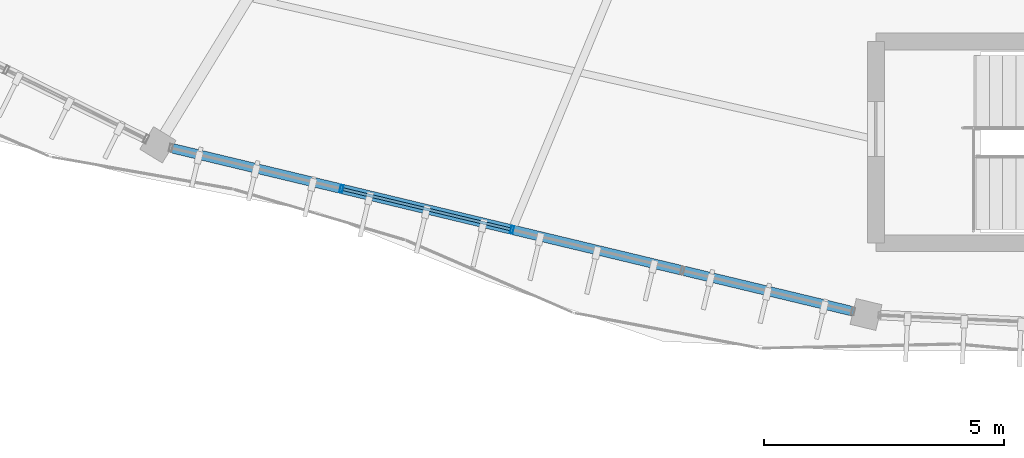
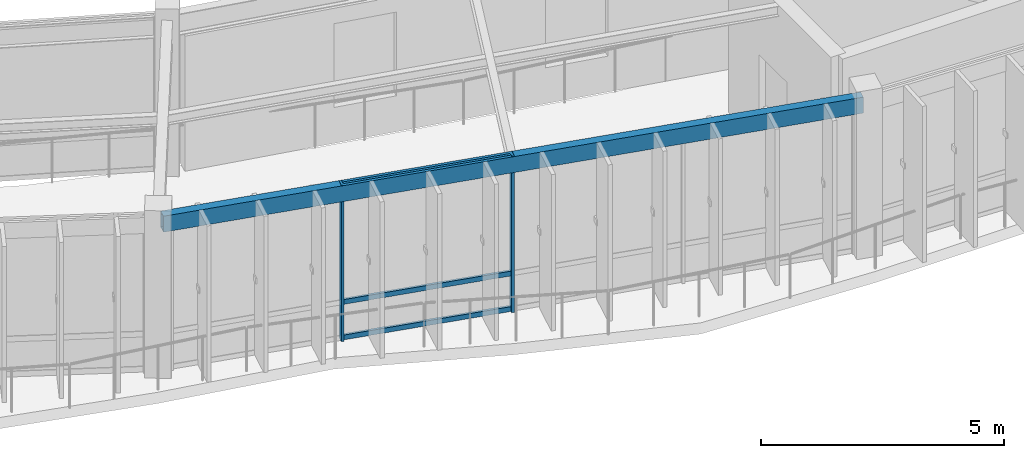
# One storey, part 4 of 79: 5 members, 1 beam, 1 element without a shape of its own.
"""IFC4 building model written with IfcOpenShell, lengths in metres."""

from ifc_helpers import new_model, si_unit, direction, frame, origin, origin_2d, place, context, subcontext, project, spatial, hollow_rectangle, extrude, material, material_profile, profile_set, type_object, element, aggregate, save


model = new_model("IFC4")

# Units and contexts
model_context = context("Model", 3, precision=1e-05, world=origin(), true_north=direction((0.0, 1.0)))
body_context = subcontext(model_context, "Body", "Model", "MODEL_VIEW")
ifc_project = project(units=[si_unit("LENGTHUNIT", "METRE"), si_unit("AREAUNIT", "SQUARE_METRE"), si_unit("VOLUMEUNIT", "CUBIC_METRE"), si_unit("PLANEANGLEUNIT", "RADIAN"), si_unit("MASSUNIT", "GRAM", prefix="KILO"), si_unit("THERMODYNAMICTEMPERATUREUNIT", "KELVIN"), si_unit("POWERUNIT", "WATT")], contexts=[model_context])

# Site, building, storey
site_placement = place(None, origin())
site = spatial("IfcSite", under=ifc_project, at=site_placement, CompositionType="ELEMENT")
building_placement = place(site_placement, origin())
building = spatial("IfcBuilding", under=site, at=building_placement, Name="Darbajah Civic Hall", CompositionType="ELEMENT")
storey_placement = place(building_placement, frame((0.0, 0.0, 22.199951171875)))
storey = spatial("IfcBuildingStorey", under=building, at=storey_placement, Name="L05", CompositionType="ELEMENT", Elevation=22.199951171875)

# Curtain wall, members
ifc_material_1 = material(Name="Anodised Bronze Aluminium and Low-E Glazing", Category="aluminium")
curtain_wall_type = type_object("IfcCurtainWallType", Name="Unitised Curtain Wall CW-71 14600x3900", PredefinedType="USERDEFINED", material=ifc_material_1)
curtain_wall_placement = place(storey_placement, origin())
curtain_wall = element("IfcCurtainWall", 1, at=curtain_wall_placement, inside=storey, type_object=curtain_wall_type, Name="L05 unitised curtain wall CW-V1O-L05-13", ObjectType="UNITISED CURTAIN WALL", PredefinedType="USERDEFINED")
ifc_material_2 = material(Name="Anodised Bronze Aluminium", Category="aluminium")
ifc_material_profile_1 = material_profile(ifc_material_2, hollow_rectangle(XDim=0.06005859375, YDim=0.159912109375, WallThickness=0.00341796875, at=origin_2d()), Name="ALU MULLION 60x160")
ifc_profile_set_1 = profile_set([ifc_material_profile_1], Name="Anodised Bronze Aluminium")
member_type_1 = type_object("IfcMemberType", Name="ALU MULLION 60x160", PredefinedType="MULLION", material=ifc_profile_set_1)
member_1_placement = place(storey_placement, frame((66.272705078125, 63.73193359375, 0.0), z_axis=(0.0, 0.0, 1.0), x_axis=(0.972492018808, -0.232936200179, 0.0)))
member_1 = element("IfcMember", 2, at=member_1_placement, type_object=member_type_1, Name="CW-V1O-L05-13 mullion 2", PredefinedType="MULLION", context=body_context, shape_type="SweptSolid", body=[
    extrude(hollow_rectangle(XDim=0.06005859375, YDim=0.159912109375, WallThickness=0.00341796875, at=origin_2d()), origin(), (0.0, 0.0, 1.0), 3.920166015625),
])
member_2_placement = place(storey_placement, frame((69.823486328125, 62.881103515625, 0.0), z_axis=(0.0, 0.0, 1.0), x_axis=(0.972492018808, -0.232936200179, 0.0)))
member_2 = element("IfcMember", 3, at=member_2_placement, type_object=member_type_1, Name="CW-V1O-L05-13 mullion 3", PredefinedType="MULLION", context=body_context, shape_type="SweptSolid", body=[
    extrude(hollow_rectangle(XDim=0.06005859375, YDim=0.159912109375, WallThickness=0.00341796875, at=origin_2d()), origin(), (0.0, 0.0, 1.0), 3.920166015625),
])
ifc_material_profile_2 = material_profile(ifc_material_2, hollow_rectangle(XDim=0.06005859375, YDim=0.1201171875, WallThickness=0.003173828125, at=origin_2d()), Name="ALU TRANSOM 60x120")
ifc_profile_set_2 = profile_set([ifc_material_profile_2], Name="Anodised Bronze Aluminium")
member_type_2 = type_object("IfcMemberType", Name="ALU TRANSOM 60x120", PredefinedType="USERDEFINED", material=ifc_profile_set_2)
member_3_placement = place(storey_placement, frame((66.306884765625, 63.7236328125, 0.06005859375), z_axis=(0.972485614113, -0.232962937705, 0.0), x_axis=(0.232962937705, 0.972485614113, 0.0)))
member_3 = element("IfcMember", 4, at=member_3_placement, type_object=member_type_2, Name="CW-V1O-L05-13 transom 2.1", ObjectType="TRANSOM", PredefinedType="USERDEFINED", context=body_context, shape_type="SweptSolid", body=[
    extrude(hollow_rectangle(XDim=0.06005859375, YDim=0.1201171875, WallThickness=0.003173828125, at=origin_2d()), origin(), (0.0, 0.0, 1.0), 3.5810546875),
])
member_4_placement = place(storey_placement, frame((66.306884765625, 63.7236328125, 0.949951171875), z_axis=(0.972485614113, -0.232962937705, 0.0), x_axis=(0.232962937705, 0.972485614113, 0.0)))
member_4 = element("IfcMember", 5, at=member_4_placement, type_object=member_type_2, Name="CW-V1O-L05-13 transom 2.2", ObjectType="TRANSOM", PredefinedType="USERDEFINED", context=body_context, shape_type="SweptSolid", body=[
    extrude(hollow_rectangle(XDim=0.06005859375, YDim=0.1201171875, WallThickness=0.003173828125, at=origin_2d()), origin(), (0.0, 0.0, 1.0), 3.5810546875),
])
member_5_placement = place(storey_placement, frame((66.306884765625, 63.7236328125, 3.860107421875), z_axis=(0.972485614113, -0.232962937705, 0.0), x_axis=(0.232962937705, 0.972485614113, 0.0)))
member_5 = element("IfcMember", 6, at=member_5_placement, type_object=member_type_2, Name="CW-V1O-L05-13 transom 2.3", ObjectType="TRANSOM", PredefinedType="USERDEFINED", context=body_context, shape_type="SweptSolid", body=[
    extrude(hollow_rectangle(XDim=0.06005859375, YDim=0.1201171875, WallThickness=0.003173828125, at=origin_2d()), origin(), (0.0, 0.0, 1.0), 3.5810546875),
])
aggregate(curtain_wall, [member_1, member_2, member_3, member_4, member_5])

# Beam
ifc_material_3 = material(Name="Steel S355JR", Category="steel")
ifc_material_profile_3 = material_profile(ifc_material_3, hollow_rectangle(XDim=0.199951171875, YDim=0.39990234375, WallThickness=0.013916015625, at=origin_2d()), Name="RHS 400x200x14")
ifc_profile_set_3 = profile_set([ifc_material_profile_3], Name="Steel S355JR")
beam_type = type_object("IfcBeamType", Name="RHS 400x200x14", PredefinedType="SPANDREL", material=ifc_profile_set_3)
beam_placement = place(storey_placement, frame((62.530517578125, 64.62841796875, 3.719970703125), z_axis=(0.972477948632, -0.232994934332, 0.0), x_axis=(0.232994934332, 0.972477948632, 0.0)))
element("IfcBeam", 7, at=beam_placement, inside=storey, type_object=beam_type, Name="L05 beam SP-RHS400", PredefinedType="SPANDREL", context=body_context, shape_type="SweptSolid", body=[
    extrude(hollow_rectangle(XDim=0.199951171875, YDim=0.39990234375, WallThickness=0.013916015625, at=origin_2d()), origin(), (0.0, 0.0, 1.0), 14.998779296875),
])

save(model, "model.ifc")
